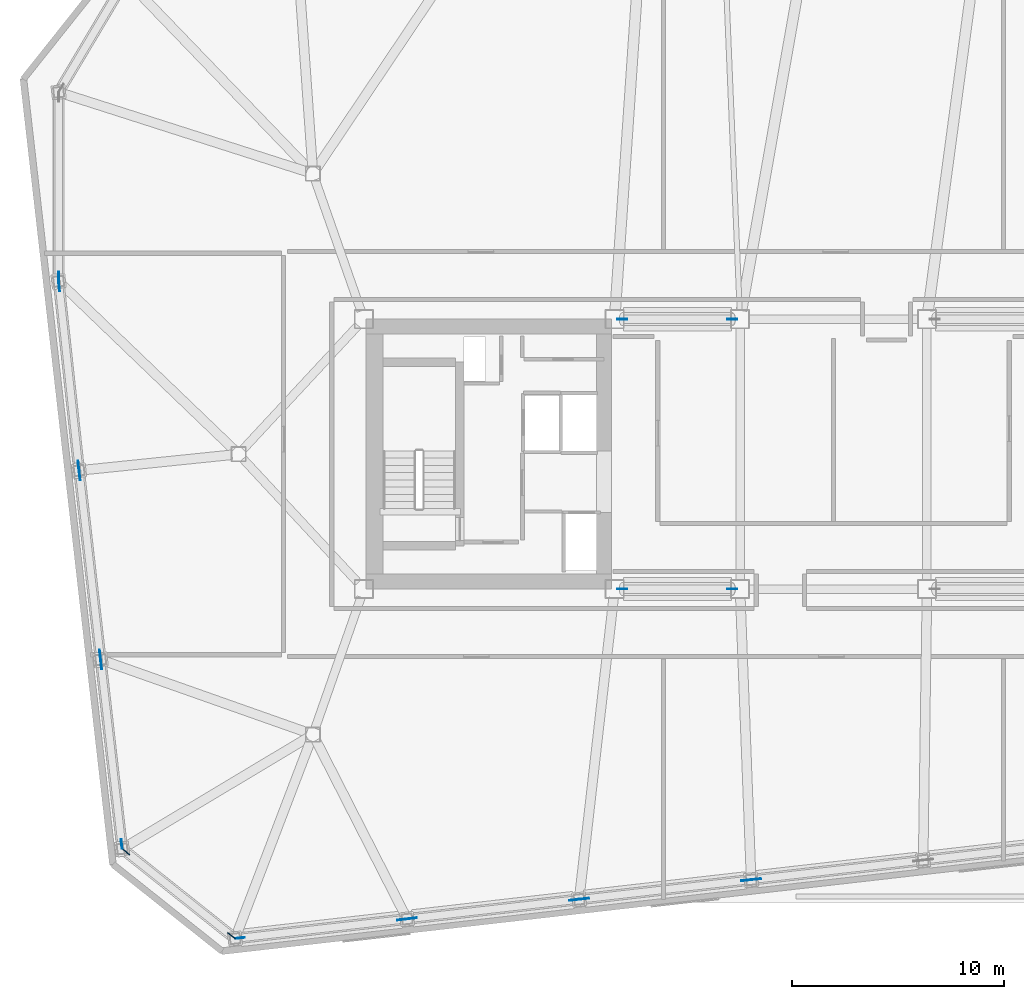
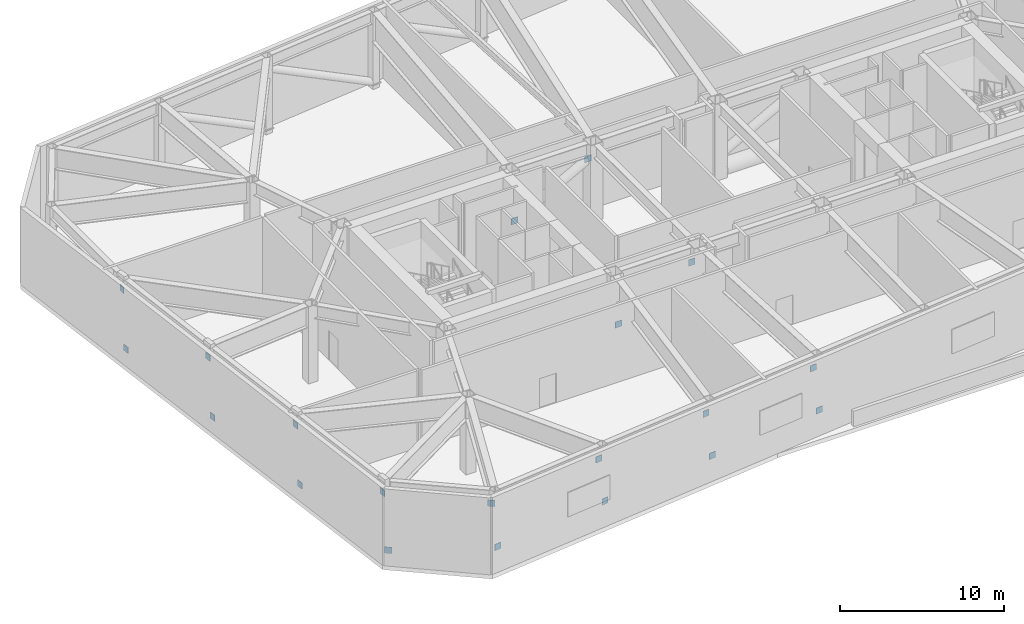
# One storey, part 9 of 13: 20 discrete accessories.
"""IFC4 building model written with IfcOpenShell, lengths in metres."""

from ifc_helpers import new_model, si_unit, direction, frame, origin, origin_2d, place, context, subcontext, project, spatial, rectangle, extrude, material, type_object, element, save


model = new_model("IFC4")

# Units and contexts
model_context = context("Model", 3, precision=1e-05, world=origin(), true_north=direction((0.0, 1.0)))
body_context = subcontext(model_context, "Body", "Model", "MODEL_VIEW")
ifc_project = project(units=[si_unit("LENGTHUNIT", "METRE"), si_unit("AREAUNIT", "SQUARE_METRE"), si_unit("VOLUMEUNIT", "CUBIC_METRE"), si_unit("PLANEANGLEUNIT", "RADIAN"), si_unit("MASSUNIT", "GRAM", prefix="KILO")], contexts=[model_context])

# Site, building, storey
site_placement = place(None, origin())
site = spatial("IfcSite", under=ifc_project, at=site_placement, CompositionType="ELEMENT")
building_placement = place(site_placement, origin())
building = spatial("IfcBuilding", under=site, at=building_placement, Name="Tavrogorsk Clinical Tower", CompositionType="ELEMENT")
storey_placement = place(building_placement, frame((0.0, 0.0, 208.199951171875)))
storey = spatial("IfcBuildingStorey", under=building, at=storey_placement, Name="L48", CompositionType="ELEMENT", Elevation=208.199951171875)

# Discrete accessories
ifc_material = material(Name="Structural steel S440", Category="steel")
discrete_accessory_type = type_object("IfcDiscreteAccessoryType", Name="GussetPlateBracket_25", PredefinedType="BRACKET", material=ifc_material)
for number, where, z_axis, x_axis, name in (
    (1, (-27.9296875, -22.775634765625, 1.122802734375), (0.0, 0.0, 1.0), (0.993571855677, 0.113203213768, 0.0), "L48 Brace Gusset Plate EXOBELT-L48-01-A"),
    (2, (-20.3037109375, -21.906982421875, 4.457275390625), (0.0, 0.0, 1.0), (0.993571855677, 0.113203213768, 0.0), "L48 Brace Gusset Plate EXOBELT-L48-01-B"),
    (3, (-19.83349609375, -21.853271484375, 1.122802734375), (0.0, 0.0, 1.0), (0.993571855677, 0.113203213768, 0.0), "L48 Brace Gusset Plate EXOBELT-L48-02-A"),
    (4, (-12.20751953125, -20.984375, 4.457275390625), (0.0, 0.0, 1.0), (0.993571855677, 0.113203213768, 0.0), "L48 Brace Gusset Plate EXOBELT-L48-02-B"),
    (5, (-11.7373046875, -20.930908203125, 1.122802734375), (0.0, 0.0, 1.0), (0.993571855677, 0.113203213768, 0.0), "L48 Brace Gusset Plate EXOBELT-L48-03-A"),
    (6, (-4.111328125, -20.06201171875, 4.457275390625), (0.0, 0.0, 1.0), (0.993571855677, 0.113203213768, 0.0), "L48 Brace Gusset Plate EXOBELT-L48-03-B"),
    (7, (-3.640869140625, -20.00830078125, 1.122802734375), (0.0, 0.0, 1.0), (0.993571855677, 0.113203213768, 0.0), "L48 Brace Gusset Plate EXOBELT-L48-04-A"),
    (8, (-36.469970703125, 8.361328125, 4.44482421875), (0.0, 0.0, 1.0), (0.0, -1.0, 0.0), "L48 Brace Gusset Plate EXOBELT-L48-22-B"),
    (9, (-36.445068359375, 7.900634765625, 0.234619140625), (0.0, 0.0, 1.0), (0.107652324982, -0.994188602291, 0.0), "L48 Brace Gusset Plate EXOBELT-L48-23-A"),
    (10, (-35.53076171875, -0.5419921875, 4.445556640625), (0.0, 0.0, 1.0), (0.107652324982, -0.994188602291, 0.0), "L48 Brace Gusset Plate EXOBELT-L48-23-B"),
    (11, (-35.479736328125, -1.001708984375, 0.234619140625), (0.0, 0.0, 1.0), (0.113203213768, -0.993571855677, 0.0), "L48 Brace Gusset Plate EXOBELT-L48-24-A"),
    (12, (-34.517578125, -9.444580078125, 4.445556640625), (0.0, 0.0, 1.0), (0.113203213768, -0.993571855677, 0.0), "L48 Brace Gusset Plate EXOBELT-L48-24-B"),
    (13, (-34.46533203125, -9.904052734375, 0.234619140625), (0.0, 0.0, 1.0), (0.113203213768, -0.993571855677, 0.0), "L48 Brace Gusset Plate EXOBELT-L48-25-A"),
    (14, (-33.50341796875, -18.346923828125, 4.445556640625), (0.0, 0.0, 1.0), (0.113203213768, -0.993571855677, 0.0), "L48 Brace Gusset Plate EXOBELT-L48-25-B"),
    (15, (-33.30810546875, -18.711181640625, 0.26123046875), (0.0, 0.0, 1.0), (0.782608156852, -0.622514636638, 0.0), "L48 Brace Gusset Plate EXOBELT-L48-26-A"),
    (16, (-28.333740234375, -22.66796875, 4.4189453125), (0.0, 0.0, 1.0), (0.782608156852, -0.622514636638, 0.0), "L48 Brace Gusset Plate EXOBELT-L48-26-B"),
    (17, (-9.93994140625, -6.35009765625, 1.446044921875), (0.0, 0.0, 1.0), (1.0, 0.0, 0.0), "L48 Brace Gusset Plate ORDG-L48-01-A"),
    (18, (-4.76025390625, -6.35009765625, 4.26416015625), (0.0, 0.0, 1.0), (1.0, 0.0, 0.0), "L48 Brace Gusset Plate ORDG-L48-01-B"),
    (19, (-9.93994140625, 6.35009765625, 1.446044921875), (0.0, 0.0, 1.0), (1.0, 0.0, 0.0), "L48 Brace Gusset Plate ORDG-L48-02-A"),
    (20, (-4.76025390625, 6.35009765625, 4.26416015625), (0.0, 0.0, 1.0), (1.0, 0.0, 0.0), "L48 Brace Gusset Plate ORDG-L48-02-B"),
):
    element("IfcDiscreteAccessory", number, at=place(storey_placement, frame(where, z_axis=z_axis, x_axis=x_axis)), inside=storey, type_object=discrete_accessory_type, Name=name, PredefinedType="BRACKET", context=body_context, shape_type="SweptSolid", body=[
        extrude(rectangle(XDim=0.4599609375, YDim=0.0400390625, at=origin_2d()), origin(), (0.0, 0.0, 1.0), 0.4599609375),
    ])

save(model, "model.ifc")
